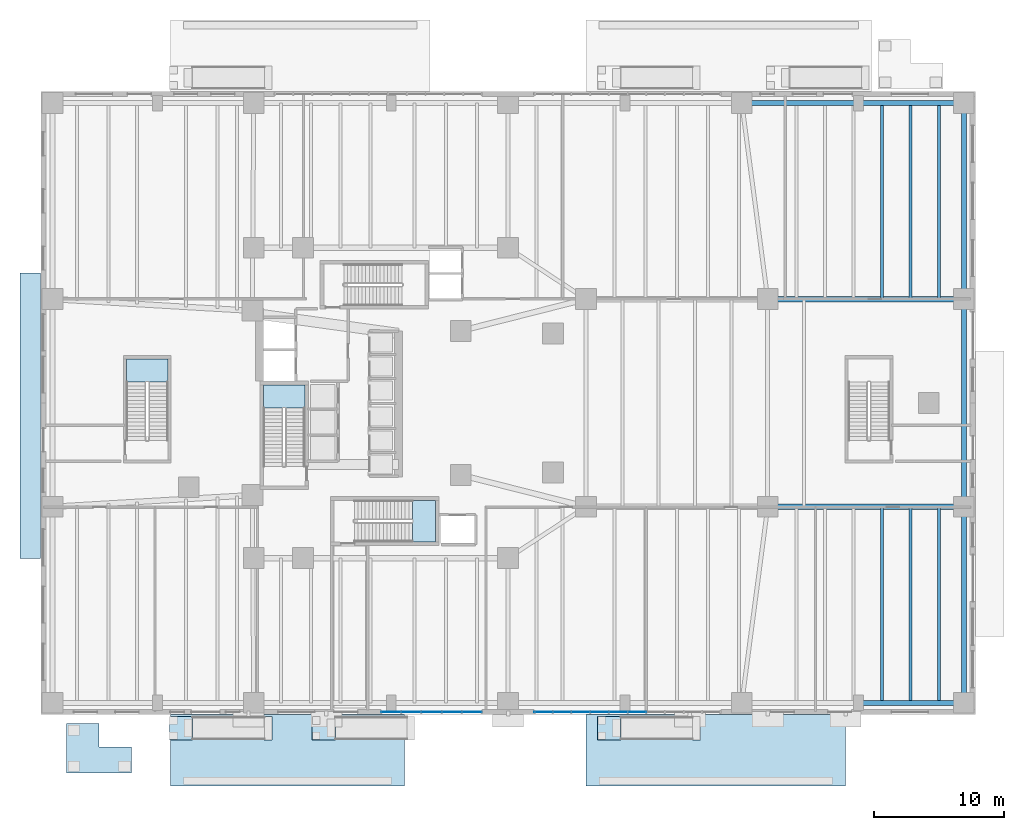
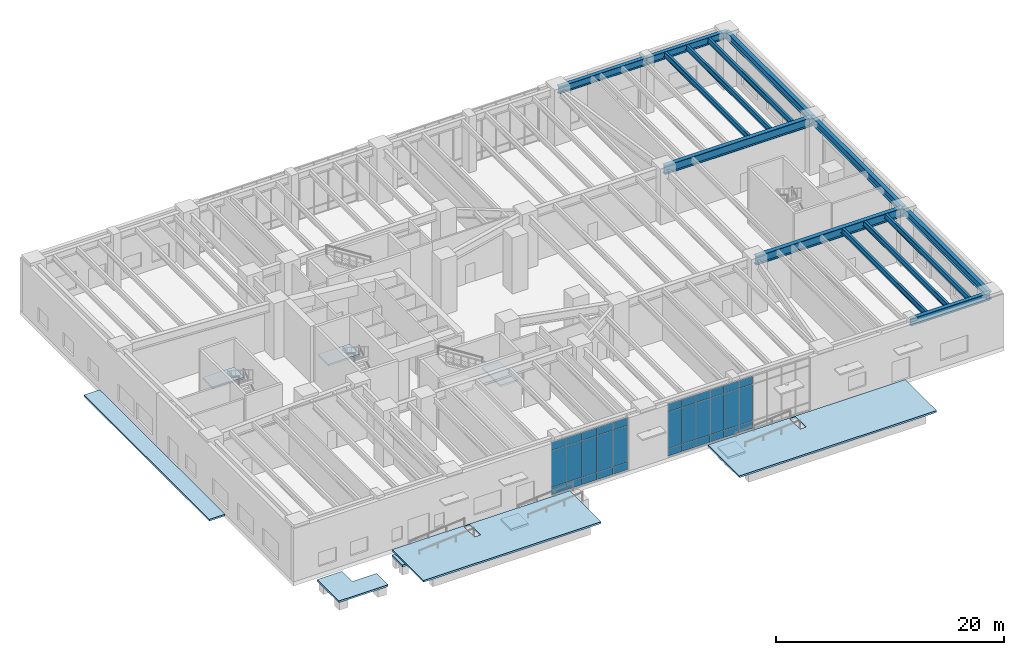
# One storey, part 16 of 28: 33 plates, 14 beams, 10 slabs, 8 elements without a shape of their own.
"""IFC4 building model written with IfcOpenShell, lengths in metres."""

from ifc_helpers import new_model, si_unit, direction, frame, origin, origin_2d, place, context, subcontext, project, spatial, polyline, rectangle, i_section, outline, extrude, material, layer, layer_set, material_profile, profile_set, type_object, element, aggregate, save


model = new_model("IFC4")

# Units and contexts
model_context = context("Model", 3, precision=1e-05, world=origin(), true_north=direction((0.0, 1.0)))
body_context = subcontext(model_context, "Body", "Model", "MODEL_VIEW")
ifc_project = project(units=[si_unit("LENGTHUNIT", "METRE"), si_unit("AREAUNIT", "SQUARE_METRE"), si_unit("VOLUMEUNIT", "CUBIC_METRE"), si_unit("PLANEANGLEUNIT", "RADIAN"), si_unit("MASSUNIT", "GRAM", prefix="KILO"), si_unit("THERMODYNAMICTEMPERATUREUNIT", "KELVIN"), si_unit("POWERUNIT", "WATT")], contexts=[model_context])

# Site, building, storey
site_placement = place(None, origin())
site = spatial("IfcSite", under=ifc_project, at=site_placement, CompositionType="ELEMENT")
building_placement = place(site_placement, origin())
building = spatial("IfcBuilding", under=site, at=building_placement, Name="Skarre Station Tower", CompositionType="ELEMENT")
storey_placement = place(building_placement, origin())
storey = spatial("IfcBuildingStorey", under=building, at=storey_placement, Name="L01", CompositionType="ELEMENT", Elevation=0.0)

# Beams
ifc_material_1 = material(Name="Steel ASTM A992 Grade 50", Category="steel")
ifc_material_profile_1 = material_profile(ifc_material_1, i_section(OverallWidth=0.423095703125, OverallDepth=0.947998046875, WebThickness=0.02392578125, FlangeThickness=0.04296875, at=origin_2d()), Name="Steel ASTM A992 Grade 50")
ifc_profile_set_1 = profile_set([ifc_material_profile_1], Name="Steel ASTM A992 Grade 50")
beam_type_1 = type_object("IfcBeamType", Name="Steel Beam W36X302", PredefinedType="BEAM", material=ifc_profile_set_1)
for number, where, z_axis, x_axis, name in (
    (1, (56.0, 16.0, 5.216064453125), (1.0, 0.0, 0.0), (0.0, 1.0, 0.0), "L01 Concourse Primary Girder EW4"),
    (2, (56.0, 32.0, 5.216064453125), (1.0, 0.0, 0.0), (0.0, 1.0, 0.0), "L01 Concourse Primary Girder EW8"),
):
    element("IfcBeam", number, at=place(storey_placement, frame(where, z_axis=z_axis, x_axis=x_axis)), inside=storey, type_object=beam_type_1, Name=name, PredefinedType="BEAM", context=body_context, shape_type="SweptSolid", body=[
        extrude(i_section(OverallWidth=0.423095703125, OverallDepth=0.947998046875, WebThickness=0.02392578125, FlangeThickness=0.04296875, at=origin_2d()), origin(), (0.0, 0.0, 1.0), 15.10009765625),
    ])
ifc_material_profile_2 = material_profile(ifc_material_1, i_section(OverallWidth=0.22802734375, OverallDepth=0.60791015625, WebThickness=0.010986328125, FlangeThickness=0.01708984375, at=origin_2d()), Name="Steel ASTM A992 Grade 50")
ifc_profile_set_2 = profile_set([ifc_material_profile_2], Name="Steel ASTM A992 Grade 50")
beam_type_2 = type_object("IfcBeamType", Name="Steel Joist W24X76", PredefinedType="JOIST", material=ifc_profile_set_2)
for number, where, z_axis, x_axis, name in (
    (3, (64.800048828125, 0.89990234375, 5.385986328125), (0.0, 1.0, 0.0), (-1.0, 0.0, 0.0), "L01 South Bay Joist 24"),
    (4, (64.800048828125, 32.0, 5.385986328125), (0.0, 1.0, 0.0), (-1.0, 0.0, 0.0), "L01 North Bay Joist 24"),
    (5, (67.0, 0.89990234375, 5.385986328125), (0.0, 1.0, 0.0), (-1.0, 0.0, 0.0), "L01 South Bay Joist 25"),
    (6, (67.0, 32.0, 5.385986328125), (0.0, 1.0, 0.0), (-1.0, 0.0, 0.0), "L01 North Bay Joist 25"),
    (7, (69.199951171875, 0.89990234375, 5.385986328125), (0.0, 1.0, 0.0), (-1.0, 0.0, 0.0), "L01 South Bay Joist 26"),
    (8, (69.199951171875, 32.0, 5.385986328125), (0.0, 1.0, 0.0), (-1.0, 0.0, 0.0), "L01 North Bay Joist 26"),
):
    element("IfcBeam", number, at=place(storey_placement, frame(where, z_axis=z_axis, x_axis=x_axis)), inside=storey, type_object=beam_type_2, Name=name, PredefinedType="JOIST", context=body_context, shape_type="SweptSolid", body=[
        extrude(i_section(OverallWidth=0.22802734375, OverallDepth=0.60791015625, WebThickness=0.010986328125, FlangeThickness=0.01708984375, at=origin_2d()), origin(), (0.0, 0.0, 1.0), 15.10009765625),
    ])
ifc_material_profile_3 = material_profile(ifc_material_1, i_section(OverallWidth=0.384033203125, OverallDepth=0.785888671875, WebThickness=0.02001953125, FlangeThickness=0.032958984375, at=origin_2d()), Name="Steel ASTM A992 Grade 50")
ifc_profile_set_3 = profile_set([ifc_material_profile_3], Name="Steel ASTM A992 Grade 50")
beam_type_3 = type_object("IfcBeamType", Name="Steel Spandrel W30X211", PredefinedType="SPANDREL", material=ifc_profile_set_3)
beam_1_placement = place(storey_placement, frame((54.0, 47.10009765625, 5.297119140625), z_axis=(1.0, 0.0, 0.0), x_axis=(0.0, 1.0, 0.0)))
element("IfcBeam", 9, at=beam_1_placement, inside=storey, type_object=beam_type_3, Name="L01 North Podium Spandrel 7", PredefinedType="SPANDREL", context=body_context, shape_type="SweptSolid", body=[
    extrude(i_section(OverallWidth=0.384033203125, OverallDepth=0.785888671875, WebThickness=0.02001953125, FlangeThickness=0.032958984375, at=origin_2d()), origin(), (0.0, 0.0, 1.0), 9.0),
])
for number, where, z_axis, x_axis, name in (
    (10, (63.0, 0.89990234375, 5.297119140625), (1.0, 0.0, 0.0), (0.0, 1.0, 0.0), "L01 South Podium Spandrel 8"),
    (11, (63.0, 47.10009765625, 5.297119140625), (1.0, 0.0, 0.0), (0.0, 1.0, 0.0), "L01 North Podium Spandrel 8"),
):
    element("IfcBeam", number, at=place(storey_placement, frame(where, z_axis=z_axis, x_axis=x_axis)), inside=storey, type_object=beam_type_3, Name=name, PredefinedType="SPANDREL", context=body_context, shape_type="SweptSolid", body=[
        extrude(i_section(OverallWidth=0.384033203125, OverallDepth=0.785888671875, WebThickness=0.02001953125, FlangeThickness=0.032958984375, at=origin_2d()), origin(), (0.0, 0.0, 1.0), 8.10009765625),
    ])
beam_2_placement = place(storey_placement, frame((71.10009765625, 0.89990234375, 5.297119140625), z_axis=(0.0, 1.0, 0.0), x_axis=(-1.0, 0.0, 0.0)))
element("IfcBeam", 12, at=beam_2_placement, inside=storey, type_object=beam_type_3, Name="L01 East Podium Spandrel 1", PredefinedType="SPANDREL", context=body_context, shape_type="SweptSolid", body=[
    extrude(i_section(OverallWidth=0.384033203125, OverallDepth=0.785888671875, WebThickness=0.02001953125, FlangeThickness=0.032958984375, at=origin_2d()), origin(), (0.0, 0.0, 1.0), 15.10009765625),
])
beam_3_placement = place(storey_placement, frame((71.10009765625, 16.0, 5.297119140625), z_axis=(0.0, 1.0, 0.0), x_axis=(-1.0, 0.0, 0.0)))
element("IfcBeam", 13, at=beam_3_placement, inside=storey, type_object=beam_type_3, Name="L01 East Podium Spandrel 2", PredefinedType="SPANDREL", context=body_context, shape_type="SweptSolid", body=[
    extrude(i_section(OverallWidth=0.384033203125, OverallDepth=0.785888671875, WebThickness=0.02001953125, FlangeThickness=0.032958984375, at=origin_2d()), origin(), (0.0, 0.0, 1.0), 16.0),
])
beam_4_placement = place(storey_placement, frame((71.10009765625, 32.0, 5.297119140625), z_axis=(0.0, 1.0, 0.0), x_axis=(-1.0, 0.0, 0.0)))
element("IfcBeam", 14, at=beam_4_placement, inside=storey, type_object=beam_type_3, Name="L01 East Podium Spandrel 3", PredefinedType="SPANDREL", context=body_context, shape_type="SweptSolid", body=[
    extrude(i_section(OverallWidth=0.384033203125, OverallDepth=0.785888671875, WebThickness=0.02001953125, FlangeThickness=0.032958984375, at=origin_2d()), origin(), (0.0, 0.0, 1.0), 15.10009765625),
])

# Curtain wall, plates
ifc_material_2 = material(Name="Thermally Broken Bronze-Anodized Aluminium & Triple Low-E Glass", Category="aluminium")
ifc_layer_1 = layer(ifc_material_2, 0.239990234375, Name="Thermally Broken Bronze-Anodized Aluminium & Triple Low-E Glass")
ifc_layer_set_1 = layer_set([ifc_layer_1], Name="Thermally Broken Bronze-Anodized Aluminium & Triple Low-E Glass")
curtain_wall_type = type_object("IfcCurtainWallType", Name="Station Concourse Monumental Unitised Curtain Wall", PredefinedType="NOTDEFINED", material=ifc_layer_set_1)
curtain_wall_1_placement = place(storey_placement, origin())
curtain_wall_1 = element("IfcCurtainWall", 15, at=curtain_wall_1_placement, inside=storey, type_object=curtain_wall_type, Name="L01 South Concourse Portal East Curtain Wall", PredefinedType="NOTDEFINED")
ifc_material_3 = material(Name="Insulated Bronze Anodized Aluminium Spandrel", Category="aluminium")
ifc_layer_2 = layer(ifc_material_3, 0.052001953125, Name="Insulated Bronze Anodized Aluminium Spandrel")
ifc_layer_set_2 = layer_set([ifc_layer_2], Name="Insulated Bronze Anodized Aluminium Spandrel")
plate_type_1 = type_object("IfcPlateType", Name="Bronze Insulated Spandrel Sheet Panel 52", PredefinedType="SHEET", material=ifc_layer_set_2)
plate_1_placement = place(storey_placement, frame((45.919921875, 0.199951171875, 0.05224609375), z_axis=(0.0, 0.0, 1.0), x_axis=(-1.0, 0.0, 0.0)))
plate_1 = element("IfcPlate", 16, at=plate_1_placement, type_object=plate_type_1, Name="L01 South Concourse Portal East Curtain Wall Spandrel Panel 5-1", PredefinedType="SHEET", context=body_context, shape_type="SweptSolid", body=[
    extrude(rectangle(XDim=1.416015625, YDim=0.052001953125, at=origin_2d()), origin(), (0.0, 0.0, 1.0), 0.785888671875),
])
plate_2_placement = place(storey_placement, frame((44.47998046875, 0.199951171875, 0.05224609375), z_axis=(0.0, 0.0, 1.0), x_axis=(-1.0, 0.0, 0.0)))
plate_2 = element("IfcPlate", 17, at=plate_2_placement, type_object=plate_type_1, Name="L01 South Concourse Portal East Curtain Wall Spandrel Panel 6-1", PredefinedType="SHEET", context=body_context, shape_type="SweptSolid", body=[
    extrude(rectangle(XDim=1.416015625, YDim=0.052001953125, at=origin_2d()), origin(), (0.0, 0.0, 1.0), 0.785888671875),
])
plate_3_placement = place(storey_placement, frame((43.0400390625, 0.199951171875, 0.05224609375), z_axis=(0.0, 0.0, 1.0), x_axis=(-1.0, 0.0, 0.0)))
plate_3 = element("IfcPlate", 18, at=plate_3_placement, type_object=plate_type_1, Name="L01 South Concourse Portal East Curtain Wall Spandrel Panel 7-1", PredefinedType="SHEET", context=body_context, shape_type="SweptSolid", body=[
    extrude(rectangle(XDim=1.416015625, YDim=0.052001953125, at=origin_2d()), origin(), (0.0, 0.0, 1.0), 0.785888671875),
])
plate_4_placement = place(storey_placement, frame((41.60009765625, 0.199951171875, 0.05224609375), z_axis=(0.0, 0.0, 1.0), x_axis=(-1.0, 0.0, 0.0)))
plate_4 = element("IfcPlate", 19, at=plate_4_placement, type_object=plate_type_1, Name="L01 South Concourse Portal East Curtain Wall Spandrel Panel 8-1", PredefinedType="SHEET", context=body_context, shape_type="SweptSolid", body=[
    extrude(rectangle(XDim=1.416015625, YDim=0.052001953125, at=origin_2d()), origin(), (0.0, 0.0, 1.0), 0.785888671875),
])
plate_5_placement = place(storey_placement, frame((40.159912109375, 0.199951171875, 0.05224609375), z_axis=(0.0, 0.0, 1.0), x_axis=(-1.0, 0.0, 0.0)))
plate_5 = element("IfcPlate", 20, at=plate_5_placement, type_object=plate_type_1, Name="L01 South Concourse Portal East Curtain Wall Spandrel Panel 9-1", PredefinedType="SHEET", context=body_context, shape_type="SweptSolid", body=[
    extrude(rectangle(XDim=1.416015625, YDim=0.052001953125, at=origin_2d()), origin(), (0.0, 0.0, 1.0), 0.785888671875),
])
plate_6_placement = place(storey_placement, frame((38.719970703125, 0.199951171875, 0.05224609375), z_axis=(0.0, 0.0, 1.0), x_axis=(-1.0, 0.0, 0.0)))
plate_6 = element("IfcPlate", 21, at=plate_6_placement, type_object=plate_type_1, Name="L01 South Concourse Portal East Curtain Wall Spandrel Panel 10-1", PredefinedType="SHEET", context=body_context, shape_type="SweptSolid", body=[
    extrude(rectangle(XDim=1.416015625, YDim=0.052001953125, at=origin_2d()), origin(), (0.0, 0.0, 1.0), 0.785888671875),
])

curtain_wall_2_placement = place(storey_placement, origin())
curtain_wall_2 = element("IfcCurtainWall", 22, at=curtain_wall_2_placement, inside=storey, type_object=curtain_wall_type, Name="L01 South Concourse Portal West Curtain Wall", PredefinedType="NOTDEFINED")
plate_7_placement = place(storey_placement, frame((33.219970703125, 0.199951171875, 0.05224609375), z_axis=(0.0, 0.0, 1.0), x_axis=(-1.0, 0.0, 0.0)))
plate_7 = element("IfcPlate", 23, at=plate_7_placement, type_object=plate_type_1, Name="L01 South Concourse Portal West Curtain Wall Spandrel Panel 1-1", PredefinedType="SHEET", context=body_context, shape_type="SweptSolid", body=[
    extrude(rectangle(XDim=1.535888671875, YDim=0.052001953125, at=origin_2d()), origin(), (0.0, 0.0, 1.0), 0.785888671875),
])
plate_8_placement = place(storey_placement, frame((31.659912109375, 0.199951171875, 0.05224609375), z_axis=(0.0, 0.0, 1.0), x_axis=(-1.0, 0.0, 0.0)))
plate_8 = element("IfcPlate", 24, at=plate_8_placement, type_object=plate_type_1, Name="L01 South Concourse Portal West Curtain Wall Spandrel Panel 2-1", PredefinedType="SHEET", context=body_context, shape_type="SweptSolid", body=[
    extrude(rectangle(XDim=1.535888671875, YDim=0.052001953125, at=origin_2d()), origin(), (0.0, 0.0, 1.0), 0.785888671875),
])
plate_9_placement = place(storey_placement, frame((30.10009765625, 0.199951171875, 0.05224609375), z_axis=(0.0, 0.0, 1.0), x_axis=(-1.0, 0.0, 0.0)))
plate_9 = element("IfcPlate", 25, at=plate_9_placement, type_object=plate_type_1, Name="L01 South Concourse Portal West Curtain Wall Spandrel Panel 3-1", PredefinedType="SHEET", context=body_context, shape_type="SweptSolid", body=[
    extrude(rectangle(XDim=1.535888671875, YDim=0.052001953125, at=origin_2d()), origin(), (0.0, 0.0, 1.0), 0.785888671875),
])
plate_10_placement = place(storey_placement, frame((28.5400390625, 0.199951171875, 0.05224609375), z_axis=(0.0, 0.0, 1.0), x_axis=(-1.0, 0.0, 0.0)))
plate_10 = element("IfcPlate", 26, at=plate_10_placement, type_object=plate_type_1, Name="L01 South Concourse Portal West Curtain Wall Spandrel Panel 4-1", PredefinedType="SHEET", context=body_context, shape_type="SweptSolid", body=[
    extrude(rectangle(XDim=1.535888671875, YDim=0.052001953125, at=origin_2d()), origin(), (0.0, 0.0, 1.0), 0.785888671875),
])
plate_11_placement = place(storey_placement, frame((26.97998046875, 0.199951171875, 0.05224609375), z_axis=(0.0, 0.0, 1.0), x_axis=(-1.0, 0.0, 0.0)))
plate_11 = element("IfcPlate", 27, at=plate_11_placement, type_object=plate_type_1, Name="L01 South Concourse Portal West Curtain Wall Spandrel Panel 5-1", PredefinedType="SHEET", context=body_context, shape_type="SweptSolid", body=[
    extrude(rectangle(XDim=1.535888671875, YDim=0.052001953125, at=origin_2d()), origin(), (0.0, 0.0, 1.0), 0.785888671875),
])

# Ramp, slab
ifc_material_4 = material(Name="Concrete C40/50", Category="concrete")
ramp_type = type_object("IfcRampType", Name="Accessible Concourse Pedestrian Ramp", PredefinedType="STRAIGHT_RUN_RAMP", material=ifc_material_4)
ramp_1_placement = place(storey_placement, origin())
ramp_1 = element("IfcRamp", 28, at=ramp_1_placement, inside=storey, type_object=ramp_type, Name="South West Concourse Accessible Ramp", PredefinedType="STRAIGHT_RUN_RAMP")
ifc_layer_3 = layer(ifc_material_4, 0.219970703125, Name="Concrete C40/50")
ifc_layer_set_3 = layer_set([ifc_layer_3], Name="Concrete C40/50")
slab_type_1 = type_object("IfcSlabType", Name="Exterior Ramp Approach Landing 220", PredefinedType="LANDING", material=ifc_layer_set_3)
slab_1_placement = place(storey_placement, frame((0.0, 0.0, -0.679931640625)))
slab_1 = element("IfcSlab", 29, at=slab_1_placement, type_object=slab_type_1, Name="South West Concourse Accessible Ramp Bottom Landing", PredefinedType="LANDING", context=body_context, shape_type="SweptSolid", body=[
    extrude(outline(polyline([(9.89990234375, -1.949951171875), (11.699951171875, -1.949951171875), (11.699951171875, -0.14990234375), (9.89990234375, -0.14990234375), (9.89990234375, -1.949951171875)])), origin(), (0.0, 0.0, 1.0), 0.219970703125),
])
aggregate(ramp_1, [slab_1])

ramp_2_placement = place(storey_placement, origin())
ramp_2 = element("IfcRamp", 30, at=ramp_2_placement, inside=storey, type_object=ramp_type, Name="South Plaza Main Accessible Ramp", PredefinedType="STRAIGHT_RUN_RAMP")
slab_2_placement = place(storey_placement, frame((0.0, 0.0, -0.679931640625)))
slab_2 = element("IfcSlab", 31, at=slab_2_placement, type_object=slab_type_1, Name="South Plaza Main Accessible Ramp Bottom Landing", PredefinedType="LANDING", context=body_context, shape_type="SweptSolid", body=[
    extrude(outline(polyline([(20.89990234375, -1.949951171875), (22.699951171875, -1.949951171875), (22.699951171875, -0.14990234375), (20.89990234375, -0.14990234375), (20.89990234375, -1.949951171875)])), origin(), (0.0, 0.0, 1.0), 0.219970703125),
])
aggregate(ramp_2, [slab_2])

ramp_3_placement = place(storey_placement, origin())
ramp_3 = element("IfcRamp", 32, at=ramp_3_placement, inside=storey, type_object=ramp_type, Name="South East Station Accessible Ramp", PredefinedType="STRAIGHT_RUN_RAMP")
slab_3_placement = place(storey_placement, frame((0.0, 0.0, -0.679931640625)))
slab_3 = element("IfcSlab", 33, at=slab_3_placement, type_object=slab_type_1, Name="South East Station Accessible Ramp Bottom Landing", PredefinedType="LANDING", context=body_context, shape_type="SweptSolid", body=[
    extrude(outline(polyline([(42.89990234375, -1.949951171875), (44.699951171875, -1.949951171875), (44.699951171875, -0.14990234375), (42.89990234375, -0.14990234375), (42.89990234375, -1.949951171875)])), origin(), (0.0, 0.0, 1.0), 0.219970703125),
])
aggregate(ramp_3, [slab_3])

# Slabs
ifc_material_5 = material(Name="Precast concrete C40/50", Category="concrete")
ifc_layer_4 = layer(ifc_material_5, 0.18994140625, Name="Precast concrete C40/50")
ifc_layer_set_4 = layer_set([ifc_layer_4], Name="Precast concrete C40/50")
slab_type_2 = type_object("IfcSlabType", Name="Granite Street Entrance & Apron Paving 190", PredefinedType="USERDEFINED", material=ifc_layer_set_4)
slab_4_placement = place(storey_placement, frame((0.0, 0.0, -0.18994140625)))
element("IfcSlab", 34, at=slab_4_placement, inside=storey, type_object=slab_type_2, Name="South Station Plaza Entrance Paving West", ObjectType="PAVING", PredefinedType="USERDEFINED", context=body_context, shape_type="SweptSolid", body=[
    extrude(outline(polyline([(10.0, -5.5), (28.0, -5.5), (28.0, -0.010009765625), (10.0, -0.010009765625), (10.0, -5.5)]), holes=[polyline([(17.2099609375, -0.139892578125), (17.820068359375, -0.139892578125), (17.820068359375, -1.9599609375), (17.2099609375, -1.9599609375), (17.2099609375, -0.139892578125)])]), origin(), (0.0, 0.0, 1.0), 0.18994140625),
])
slab_5_placement = place(storey_placement, frame((0.0, 0.0, -0.18994140625)))
element("IfcSlab", 35, at=slab_5_placement, inside=storey, type_object=slab_type_2, Name="South Station Main Concourse Entrance Paving", ObjectType="PAVING", PredefinedType="USERDEFINED", context=body_context, shape_type="SweptSolid", body=[
    extrude(outline(polyline([(42.0, -5.5), (62.0, -5.5), (62.0, -0.010009765625), (42.0, -0.010009765625), (42.0, -5.5)]), holes=[polyline([(50.2099609375, -0.139892578125), (50.820068359375, -0.139892578125), (50.820068359375, -1.9599609375), (50.2099609375, -1.9599609375), (50.2099609375, -0.139892578125)])]), origin(), (0.0, 0.0, 1.0), 0.18994140625),
])
slab_6_placement = place(storey_placement, frame((0.0, 0.0, -0.18994140625)))
element("IfcSlab", 36, at=slab_6_placement, inside=storey, type_object=slab_type_2, Name="West Stair Discharge Sidewalk Apron", ObjectType="PAVING", PredefinedType="USERDEFINED", context=body_context, shape_type="SweptSolid", body=[
    extrude(outline(polyline([(-1.60009765625, 12.0), (-0.010009765625, 12.0), (-0.010009765625, 34.0), (-1.60009765625, 34.0), (-1.60009765625, 12.0)])), origin(), (0.0, 0.0, 1.0), 0.18994140625),
])
slab_7_placement = place(storey_placement, frame((0.0, 0.0, -0.18994140625)))
element("IfcSlab", 37, at=slab_7_placement, inside=storey, type_object=slab_type_2, Name="L01 Stepped Forecourt Apron Slab 1", ObjectType="PAVING", PredefinedType="USERDEFINED", context=body_context, shape_type="SweptSolid", body=[
    extrude(outline(polyline([(2.0, -4.5), (7.0, -4.5), (7.0, -2.5), (4.5, -2.5), (4.5, -0.699951171875), (2.0, -0.699951171875), (2.0, -4.5)])), origin(), (0.0, 0.0, 1.0), 0.18994140625),
])

# Stair, slab
stair_type_1 = type_object("IfcStairType", Name="Reinforced Concrete Exit Stair ST-1", PredefinedType="HALF_TURN_STAIR", material=ifc_material_4)
stair_1_placement = place(storey_placement, origin())
stair_1 = element("IfcStair", 38, at=stair_1_placement, inside=storey, type_object=stair_type_1, Name="L01 Core Exit Stair ST-1", PredefinedType="HALF_TURN_STAIR")
ifc_layer_5 = layer(ifc_material_4, 0.219970703125, Name="Concrete C40/50")
ifc_layer_set_5 = layer_set([ifc_layer_5], Name="Concrete C40/50")
slab_type_3 = type_object("IfcSlabType", Name="Reinforced Concrete Stair & Ramp Landing 220", PredefinedType="LANDING", material=ifc_layer_set_5)
slab_8_placement = place(storey_placement, frame((0.0, 0.0, 2.800048828125)))
slab_8 = element("IfcSlab", 39, at=slab_8_placement, type_object=slab_type_3, Name="ST-1 landing 1", PredefinedType="LANDING", context=body_context, shape_type="SweptSolid", body=[
    extrude(outline(polyline([(20.35009765625, 23.60009765625), (20.35009765625, 25.39990234375), (17.14990234375, 25.39990234375), (17.14990234375, 23.60009765625), (20.35009765625, 23.60009765625)])), origin(), (0.0, 0.0, 1.0), 0.199951171875),
])
aggregate(stair_1, [slab_8])

stair_type_2 = type_object("IfcStairType", Name="Reinforced Concrete Exit Stair ST-2", PredefinedType="HALF_TURN_STAIR", material=ifc_material_4)
stair_2_placement = place(storey_placement, origin())
stair_2 = element("IfcStair", 40, at=stair_2_placement, inside=storey, type_object=stair_type_2, Name="L01 Core Exit Stair ST-2", PredefinedType="HALF_TURN_STAIR")
slab_9_placement = place(storey_placement, frame((0.0, 0.0, 2.800048828125)))
slab_9 = element("IfcSlab", 41, at=slab_9_placement, type_object=slab_type_3, Name="ST-2 landing 1", PredefinedType="LANDING", context=body_context, shape_type="SweptSolid", body=[
    extrude(outline(polyline([(28.6298828125, 13.300048828125), (30.39990234375, 13.300048828125), (30.39990234375, 16.5), (28.6298828125, 16.5), (28.6298828125, 13.300048828125)])), origin(), (0.0, 0.0, 1.0), 0.199951171875),
])
aggregate(stair_2, [slab_9])

stair_type_3 = type_object("IfcStairType", Name="Reinforced Concrete Exit Stair ST-4", PredefinedType="HALF_TURN_STAIR", material=ifc_material_4)
stair_3_placement = place(storey_placement, origin())
stair_3 = element("IfcStair", 42, at=stair_3_placement, inside=storey, type_object=stair_type_3, Name="L01 Podium Concourse Exit Stair ST-4", PredefinedType="HALF_TURN_STAIR")
slab_10_placement = place(storey_placement, frame((0.0, 0.0, 2.800048828125)))
slab_10 = element("IfcSlab", 43, at=slab_10_placement, type_object=slab_type_3, Name="ST-4 landing 1", PredefinedType="LANDING", context=body_context, shape_type="SweptSolid", body=[
    extrude(outline(polyline([(9.800048828125, 25.60009765625), (9.800048828125, 27.39990234375), (6.60009765625, 27.39990234375), (6.60009765625, 25.60009765625), (9.800048828125, 25.60009765625)])), origin(), (0.0, 0.0, 1.0), 0.199951171875),
])
aggregate(stair_3, [slab_10])

# Plate
ifc_material_6 = material(Name="Low-Iron Triple Insulating Glass Unit", Category="glass")
ifc_layer_6 = layer(ifc_material_6, 0.0439453125, Name="Low-Iron Triple Insulating Glass Unit")
ifc_layer_set_6 = layer_set([ifc_layer_6], Name="Low-Iron Triple Insulating Glass Unit")
plate_type_2 = type_object("IfcPlateType", Name="Triple-Glazed Vision Curtain Panel 44", PredefinedType="CURTAIN_PANEL", material=ifc_layer_set_6)
plate_12_placement = place(storey_placement, frame((45.919921875, 0.199951171875, 0.862060546875), z_axis=(0.0, 0.0, 1.0), x_axis=(-1.0, 0.0, 0.0)))
plate_12 = element("IfcPlate", 44, at=plate_12_placement, type_object=plate_type_2, Name="L01 South Concourse Portal East Curtain Wall Vision Panel 5-2", PredefinedType="CURTAIN_PANEL", context=body_context, shape_type="SweptSolid", body=[
    extrude(rectangle(XDim=1.416015625, YDim=0.0439453125, at=origin_2d()), origin(), (0.0, 0.0, 1.0), 3.916015625),
])

plate_13_placement = place(storey_placement, frame((45.919921875, 0.199951171875, 4.802001953125), z_axis=(0.0, 0.0, 1.0), x_axis=(-1.0, 0.0, 0.0)))
plate_13 = element("IfcPlate", 45, at=plate_13_placement, type_object=plate_type_2, Name="L01 South Concourse Portal East Curtain Wall Vision Panel 5-3", PredefinedType="CURTAIN_PANEL", context=body_context, shape_type="SweptSolid", body=[
    extrude(rectangle(XDim=1.416015625, YDim=0.0439453125, at=origin_2d()), origin(), (0.0, 0.0, 1.0), 0.8359375),
])

plate_14_placement = place(storey_placement, frame((44.47998046875, 0.199951171875, 0.862060546875), z_axis=(0.0, 0.0, 1.0), x_axis=(-1.0, 0.0, 0.0)))
plate_14 = element("IfcPlate", 46, at=plate_14_placement, type_object=plate_type_2, Name="L01 South Concourse Portal East Curtain Wall Vision Panel 6-2", PredefinedType="CURTAIN_PANEL", context=body_context, shape_type="SweptSolid", body=[
    extrude(rectangle(XDim=1.416015625, YDim=0.0439453125, at=origin_2d()), origin(), (0.0, 0.0, 1.0), 3.916015625),
])

plate_15_placement = place(storey_placement, frame((44.47998046875, 0.199951171875, 4.802001953125), z_axis=(0.0, 0.0, 1.0), x_axis=(-1.0, 0.0, 0.0)))
plate_15 = element("IfcPlate", 47, at=plate_15_placement, type_object=plate_type_2, Name="L01 South Concourse Portal East Curtain Wall Vision Panel 6-3", PredefinedType="CURTAIN_PANEL", context=body_context, shape_type="SweptSolid", body=[
    extrude(rectangle(XDim=1.416015625, YDim=0.0439453125, at=origin_2d()), origin(), (0.0, 0.0, 1.0), 0.8359375),
])

plate_16_placement = place(storey_placement, frame((43.0400390625, 0.199951171875, 0.862060546875), z_axis=(0.0, 0.0, 1.0), x_axis=(-1.0, 0.0, 0.0)))
plate_16 = element("IfcPlate", 48, at=plate_16_placement, type_object=plate_type_2, Name="L01 South Concourse Portal East Curtain Wall Vision Panel 7-2", PredefinedType="CURTAIN_PANEL", context=body_context, shape_type="SweptSolid", body=[
    extrude(rectangle(XDim=1.416015625, YDim=0.0439453125, at=origin_2d()), origin(), (0.0, 0.0, 1.0), 3.916015625),
])

plate_17_placement = place(storey_placement, frame((43.0400390625, 0.199951171875, 4.802001953125), z_axis=(0.0, 0.0, 1.0), x_axis=(-1.0, 0.0, 0.0)))
plate_17 = element("IfcPlate", 49, at=plate_17_placement, type_object=plate_type_2, Name="L01 South Concourse Portal East Curtain Wall Vision Panel 7-3", PredefinedType="CURTAIN_PANEL", context=body_context, shape_type="SweptSolid", body=[
    extrude(rectangle(XDim=1.416015625, YDim=0.0439453125, at=origin_2d()), origin(), (0.0, 0.0, 1.0), 0.8359375),
])

plate_18_placement = place(storey_placement, frame((41.60009765625, 0.199951171875, 0.862060546875), z_axis=(0.0, 0.0, 1.0), x_axis=(-1.0, 0.0, 0.0)))
plate_18 = element("IfcPlate", 50, at=plate_18_placement, type_object=plate_type_2, Name="L01 South Concourse Portal East Curtain Wall Vision Panel 8-2", PredefinedType="CURTAIN_PANEL", context=body_context, shape_type="SweptSolid", body=[
    extrude(rectangle(XDim=1.416015625, YDim=0.0439453125, at=origin_2d()), origin(), (0.0, 0.0, 1.0), 3.916015625),
])

plate_19_placement = place(storey_placement, frame((41.60009765625, 0.199951171875, 4.802001953125), z_axis=(0.0, 0.0, 1.0), x_axis=(-1.0, 0.0, 0.0)))
plate_19 = element("IfcPlate", 51, at=plate_19_placement, type_object=plate_type_2, Name="L01 South Concourse Portal East Curtain Wall Vision Panel 8-3", PredefinedType="CURTAIN_PANEL", context=body_context, shape_type="SweptSolid", body=[
    extrude(rectangle(XDim=1.416015625, YDim=0.0439453125, at=origin_2d()), origin(), (0.0, 0.0, 1.0), 0.8359375),
])

plate_20_placement = place(storey_placement, frame((40.159912109375, 0.199951171875, 0.862060546875), z_axis=(0.0, 0.0, 1.0), x_axis=(-1.0, 0.0, 0.0)))
plate_20 = element("IfcPlate", 52, at=plate_20_placement, type_object=plate_type_2, Name="L01 South Concourse Portal East Curtain Wall Vision Panel 9-2", PredefinedType="CURTAIN_PANEL", context=body_context, shape_type="SweptSolid", body=[
    extrude(rectangle(XDim=1.416015625, YDim=0.0439453125, at=origin_2d()), origin(), (0.0, 0.0, 1.0), 3.916015625),
])

plate_21_placement = place(storey_placement, frame((40.159912109375, 0.199951171875, 4.802001953125), z_axis=(0.0, 0.0, 1.0), x_axis=(-1.0, 0.0, 0.0)))
plate_21 = element("IfcPlate", 53, at=plate_21_placement, type_object=plate_type_2, Name="L01 South Concourse Portal East Curtain Wall Vision Panel 9-3", PredefinedType="CURTAIN_PANEL", context=body_context, shape_type="SweptSolid", body=[
    extrude(rectangle(XDim=1.416015625, YDim=0.0439453125, at=origin_2d()), origin(), (0.0, 0.0, 1.0), 0.8359375),
])

plate_22_placement = place(storey_placement, frame((38.719970703125, 0.199951171875, 0.862060546875), z_axis=(0.0, 0.0, 1.0), x_axis=(-1.0, 0.0, 0.0)))
plate_22 = element("IfcPlate", 54, at=plate_22_placement, type_object=plate_type_2, Name="L01 South Concourse Portal East Curtain Wall Vision Panel 10-2", PredefinedType="CURTAIN_PANEL", context=body_context, shape_type="SweptSolid", body=[
    extrude(rectangle(XDim=1.416015625, YDim=0.0439453125, at=origin_2d()), origin(), (0.0, 0.0, 1.0), 3.916015625),
])

plate_23_placement = place(storey_placement, frame((38.719970703125, 0.199951171875, 4.802001953125), z_axis=(0.0, 0.0, 1.0), x_axis=(-1.0, 0.0, 0.0)))
plate_23 = element("IfcPlate", 55, at=plate_23_placement, type_object=plate_type_2, Name="L01 South Concourse Portal East Curtain Wall Vision Panel 10-3", PredefinedType="CURTAIN_PANEL", context=body_context, shape_type="SweptSolid", body=[
    extrude(rectangle(XDim=1.416015625, YDim=0.0439453125, at=origin_2d()), origin(), (0.0, 0.0, 1.0), 0.8359375),
])

aggregate(curtain_wall_1, [plate_1, plate_12, plate_13, plate_2, plate_14, plate_15, plate_3, plate_16, plate_17, plate_4, plate_18, plate_19, plate_5, plate_20, plate_21, plate_6, plate_22, plate_23])

plate_24_placement = place(storey_placement, frame((33.219970703125, 0.199951171875, 0.862060546875), z_axis=(0.0, 0.0, 1.0), x_axis=(-1.0, 0.0, 0.0)))
plate_24 = element("IfcPlate", 56, at=plate_24_placement, type_object=plate_type_2, Name="L01 South Concourse Portal West Curtain Wall Vision Panel 1-2", PredefinedType="CURTAIN_PANEL", context=body_context, shape_type="SweptSolid", body=[
    extrude(rectangle(XDim=1.535888671875, YDim=0.0439453125, at=origin_2d()), origin(), (0.0, 0.0, 1.0), 3.916015625),
])

plate_25_placement = place(storey_placement, frame((33.219970703125, 0.199951171875, 4.802001953125), z_axis=(0.0, 0.0, 1.0), x_axis=(-1.0, 0.0, 0.0)))
plate_25 = element("IfcPlate", 57, at=plate_25_placement, type_object=plate_type_2, Name="L01 South Concourse Portal West Curtain Wall Vision Panel 1-3", PredefinedType="CURTAIN_PANEL", context=body_context, shape_type="SweptSolid", body=[
    extrude(rectangle(XDim=1.535888671875, YDim=0.0439453125, at=origin_2d()), origin(), (0.0, 0.0, 1.0), 0.8359375),
])

plate_26_placement = place(storey_placement, frame((31.659912109375, 0.199951171875, 0.862060546875), z_axis=(0.0, 0.0, 1.0), x_axis=(-1.0, 0.0, 0.0)))
plate_26 = element("IfcPlate", 58, at=plate_26_placement, type_object=plate_type_2, Name="L01 South Concourse Portal West Curtain Wall Vision Panel 2-2", PredefinedType="CURTAIN_PANEL", context=body_context, shape_type="SweptSolid", body=[
    extrude(rectangle(XDim=1.535888671875, YDim=0.0439453125, at=origin_2d()), origin(), (0.0, 0.0, 1.0), 3.916015625),
])

plate_27_placement = place(storey_placement, frame((31.659912109375, 0.199951171875, 4.802001953125), z_axis=(0.0, 0.0, 1.0), x_axis=(-1.0, 0.0, 0.0)))
plate_27 = element("IfcPlate", 59, at=plate_27_placement, type_object=plate_type_2, Name="L01 South Concourse Portal West Curtain Wall Vision Panel 2-3", PredefinedType="CURTAIN_PANEL", context=body_context, shape_type="SweptSolid", body=[
    extrude(rectangle(XDim=1.535888671875, YDim=0.0439453125, at=origin_2d()), origin(), (0.0, 0.0, 1.0), 0.8359375),
])

plate_28_placement = place(storey_placement, frame((30.10009765625, 0.199951171875, 0.862060546875), z_axis=(0.0, 0.0, 1.0), x_axis=(-1.0, 0.0, 0.0)))
plate_28 = element("IfcPlate", 60, at=plate_28_placement, type_object=plate_type_2, Name="L01 South Concourse Portal West Curtain Wall Vision Panel 3-2", PredefinedType="CURTAIN_PANEL", context=body_context, shape_type="SweptSolid", body=[
    extrude(rectangle(XDim=1.535888671875, YDim=0.0439453125, at=origin_2d()), origin(), (0.0, 0.0, 1.0), 3.916015625),
])

plate_29_placement = place(storey_placement, frame((30.10009765625, 0.199951171875, 4.802001953125), z_axis=(0.0, 0.0, 1.0), x_axis=(-1.0, 0.0, 0.0)))
plate_29 = element("IfcPlate", 61, at=plate_29_placement, type_object=plate_type_2, Name="L01 South Concourse Portal West Curtain Wall Vision Panel 3-3", PredefinedType="CURTAIN_PANEL", context=body_context, shape_type="SweptSolid", body=[
    extrude(rectangle(XDim=1.535888671875, YDim=0.0439453125, at=origin_2d()), origin(), (0.0, 0.0, 1.0), 0.8359375),
])

plate_30_placement = place(storey_placement, frame((28.5400390625, 0.199951171875, 0.862060546875), z_axis=(0.0, 0.0, 1.0), x_axis=(-1.0, 0.0, 0.0)))
plate_30 = element("IfcPlate", 62, at=plate_30_placement, type_object=plate_type_2, Name="L01 South Concourse Portal West Curtain Wall Vision Panel 4-2", PredefinedType="CURTAIN_PANEL", context=body_context, shape_type="SweptSolid", body=[
    extrude(rectangle(XDim=1.535888671875, YDim=0.0439453125, at=origin_2d()), origin(), (0.0, 0.0, 1.0), 3.916015625),
])

plate_31_placement = place(storey_placement, frame((28.5400390625, 0.199951171875, 4.802001953125), z_axis=(0.0, 0.0, 1.0), x_axis=(-1.0, 0.0, 0.0)))
plate_31 = element("IfcPlate", 63, at=plate_31_placement, type_object=plate_type_2, Name="L01 South Concourse Portal West Curtain Wall Vision Panel 4-3", PredefinedType="CURTAIN_PANEL", context=body_context, shape_type="SweptSolid", body=[
    extrude(rectangle(XDim=1.535888671875, YDim=0.0439453125, at=origin_2d()), origin(), (0.0, 0.0, 1.0), 0.8359375),
])

plate_32_placement = place(storey_placement, frame((26.97998046875, 0.199951171875, 0.862060546875), z_axis=(0.0, 0.0, 1.0), x_axis=(-1.0, 0.0, 0.0)))
plate_32 = element("IfcPlate", 64, at=plate_32_placement, type_object=plate_type_2, Name="L01 South Concourse Portal West Curtain Wall Vision Panel 5-2", PredefinedType="CURTAIN_PANEL", context=body_context, shape_type="SweptSolid", body=[
    extrude(rectangle(XDim=1.535888671875, YDim=0.0439453125, at=origin_2d()), origin(), (0.0, 0.0, 1.0), 3.916015625),
])

plate_33_placement = place(storey_placement, frame((26.97998046875, 0.199951171875, 4.802001953125), z_axis=(0.0, 0.0, 1.0), x_axis=(-1.0, 0.0, 0.0)))
plate_33 = element("IfcPlate", 65, at=plate_33_placement, type_object=plate_type_2, Name="L01 South Concourse Portal West Curtain Wall Vision Panel 5-3", PredefinedType="CURTAIN_PANEL", context=body_context, shape_type="SweptSolid", body=[
    extrude(rectangle(XDim=1.535888671875, YDim=0.0439453125, at=origin_2d()), origin(), (0.0, 0.0, 1.0), 0.8359375),
])

aggregate(curtain_wall_2, [plate_7, plate_24, plate_25, plate_8, plate_26, plate_27, plate_9, plate_28, plate_29, plate_10, plate_30, plate_31, plate_11, plate_32, plate_33])

save(model, "model.ifc")
